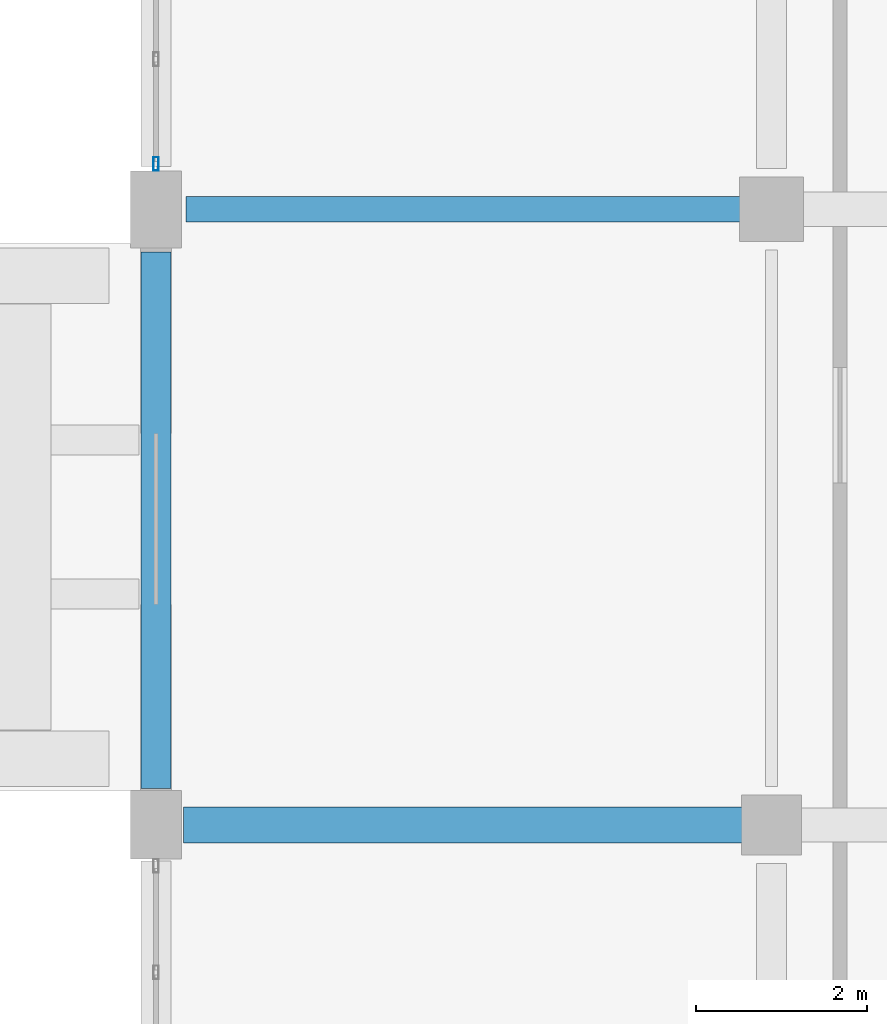
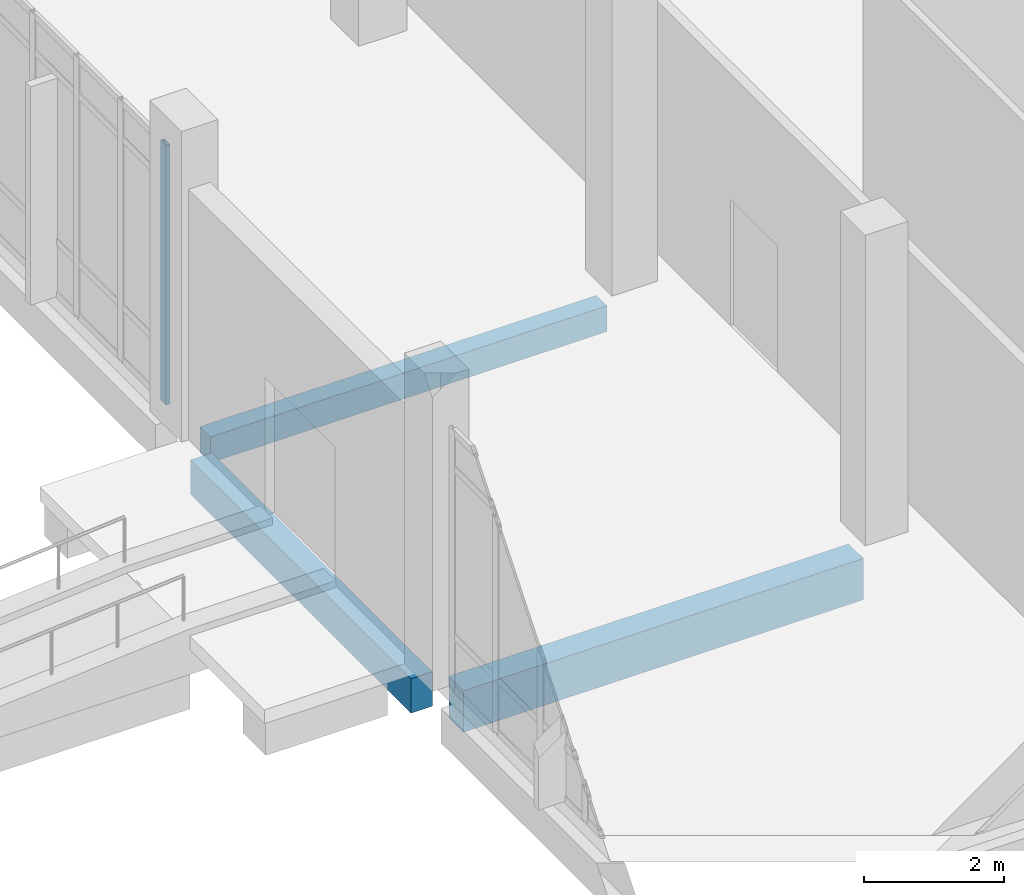
# One storey, part 8 of 110: 3 beams, 1 member, 1 element without a shape of its own.
"""IFC4 building model written with IfcOpenShell, lengths in metres."""

from ifc_helpers import new_model, si_unit, direction, frame, origin, origin_2d, place, context, subcontext, project, spatial, rectangle, hollow_rectangle, extrude, material, material_profile, profile_set, type_object, element, aggregate, save


model = new_model("IFC4")

# Units and contexts
model_context = context("Model", 3, precision=1e-05, world=origin(), true_north=direction((0.0, 1.0)))
body_context = subcontext(model_context, "Body", "Model", "MODEL_VIEW")
ifc_project = project(units=[si_unit("LENGTHUNIT", "METRE"), si_unit("AREAUNIT", "SQUARE_METRE"), si_unit("VOLUMEUNIT", "CUBIC_METRE"), si_unit("PLANEANGLEUNIT", "RADIAN"), si_unit("MASSUNIT", "GRAM", prefix="KILO")], contexts=[model_context])

# Site, building, storey
site_placement = place(None, origin())
site = spatial("IfcSite", under=ifc_project, at=site_placement, CompositionType="ELEMENT")
building_placement = place(site_placement, origin())
building = spatial("IfcBuilding", under=site, at=building_placement, Name="Kalluvel Institute of Natural Sciences", CompositionType="ELEMENT")
storey_placement = place(building_placement, origin())
storey = spatial("IfcBuildingStorey", under=building, at=storey_placement, Name="L00", CompositionType="ELEMENT", Elevation=0.0)

# Beam
ifc_material_1 = material(Name="Concrete M40", Category="concrete")
ifc_material_profile_1 = material_profile(ifc_material_1, rectangle(XDim=0.419921875, YDim=0.719970703125, at=origin_2d()), Name="RCB 420x720")
ifc_profile_set_1 = profile_set([ifc_material_profile_1], Name="Concrete M40")
beam_type_1 = type_object("IfcBeamType", Name="BM-RC420x720", PredefinedType="BEAM", material=ifc_profile_set_1)
beam_1_placement = place(storey_placement, frame((14.324951171875, 21.199951171875, -0.679931640625), z_axis=(1.0, 0.0, 0.0), x_axis=(0.0, 1.0, 0.0)))
element("IfcBeam", 1, at=beam_1_placement, inside=storey, type_object=beam_type_1, Name="L00 girder GIR-L00-EW-X140-Y212", PredefinedType="BEAM", context=body_context, shape_type="SweptSolid", body=[
    extrude(rectangle(XDim=0.419921875, YDim=0.719970703125, at=origin_2d()), origin(), (0.0, 0.0, 1.0), 6.574951171875),
])

# Curtain wall, member
ifc_material_2 = material(Name="Aluminium AW-6063 T6", Category="aluminium")
curtain_wall_type = type_object("IfcCurtainWallType", Name="CW-DRY-54", PredefinedType="USERDEFINED", material=ifc_material_2)
curtain_wall_placement = place(storey_placement, origin())
curtain_wall = element("IfcCurtainWall", 2, at=curtain_wall_placement, inside=storey, type_object=curtain_wall_type, Name="L00 Gothic lancet curtain wall CWA-L00-X140-Y289", ObjectType="UNITISED LANCET FACADE", PredefinedType="USERDEFINED")
ifc_material_profile_2 = material_profile(ifc_material_2, hollow_rectangle(XDim=0.06005859375, YDim=0.159912109375, WallThickness=0.00390625, at=origin_2d()), Name="CWM 60x160")
ifc_profile_set_2 = profile_set([ifc_material_profile_2], Name="Aluminium AW-6063 T6")
member_type = type_object("IfcMemberType", Name="CWM-60x160", PredefinedType="MULLION", material=ifc_profile_set_2)
member_placement = place(storey_placement, frame((14.0, 28.929931640625, 0.0), z_axis=(0.0, 0.0, 1.0), x_axis=(-1.0, 0.0, 0.0)))
member = element("IfcMember", 3, at=member_placement, type_object=member_type, Name="CW-04 mullion 1", PredefinedType="MULLION", context=body_context, shape_type="SweptSolid", body=[
    extrude(hollow_rectangle(XDim=0.06005859375, YDim=0.159912109375, WallThickness=0.00390625, at=origin_2d()), origin(), (0.0, 0.0, 1.0), 4.52001953125),
])
aggregate(curtain_wall, [member])

# Beams
ifc_material_profile_3 = material_profile(ifc_material_1, rectangle(XDim=0.300048828125, YDim=0.449951171875, at=origin_2d()), Name="RCB 300x450")
ifc_profile_set_3 = profile_set([ifc_material_profile_3], Name="Concrete M40")
beam_type_2 = type_object("IfcBeamType", Name="SP-RC300x450", PredefinedType="SPANDREL", material=ifc_profile_set_3)
beam_2_placement = place(storey_placement, frame((14.35009765625, 28.39990234375, -0.544921875), z_axis=(1.0, 0.0, 0.0), x_axis=(0.0, 1.0, 0.0)))
element("IfcBeam", 4, at=beam_2_placement, inside=storey, type_object=beam_type_2, Name="L00 girder GIR-L00-EW-X140-Y284", PredefinedType="SPANDREL", context=body_context, shape_type="SweptSolid", body=[
    extrude(rectangle(XDim=0.300048828125, YDim=0.449951171875, at=origin_2d()), origin(), (0.0, 0.0, 1.0), 6.52490234375),
])
ifc_material_profile_4 = material_profile(ifc_material_1, rectangle(XDim=0.35009765625, YDim=0.60009765625, at=origin_2d()), Name="RCB 350x600")
ifc_profile_set_4 = profile_set([ifc_material_profile_4], Name="Concrete M40")
beam_type_3 = type_object("IfcBeamType", Name="SP-RC350x600", PredefinedType="SPANDREL", material=ifc_profile_set_4)
beam_3_placement = place(storey_placement, frame((14.0, 21.625, -0.6201171875), z_axis=(0.0, 1.0, 0.0), x_axis=(-1.0, 0.0, 0.0)))
element("IfcBeam", 5, at=beam_3_placement, inside=storey, type_object=beam_type_3, Name="L00 girder GIR-L00-NS-X140-Y212", PredefinedType="SPANDREL", context=body_context, shape_type="SweptSolid", body=[
    extrude(rectangle(XDim=0.35009765625, YDim=0.60009765625, at=origin_2d()), origin(), (0.0, 0.0, 1.0), 6.27490234375),
])

save(model, "model.ifc")
